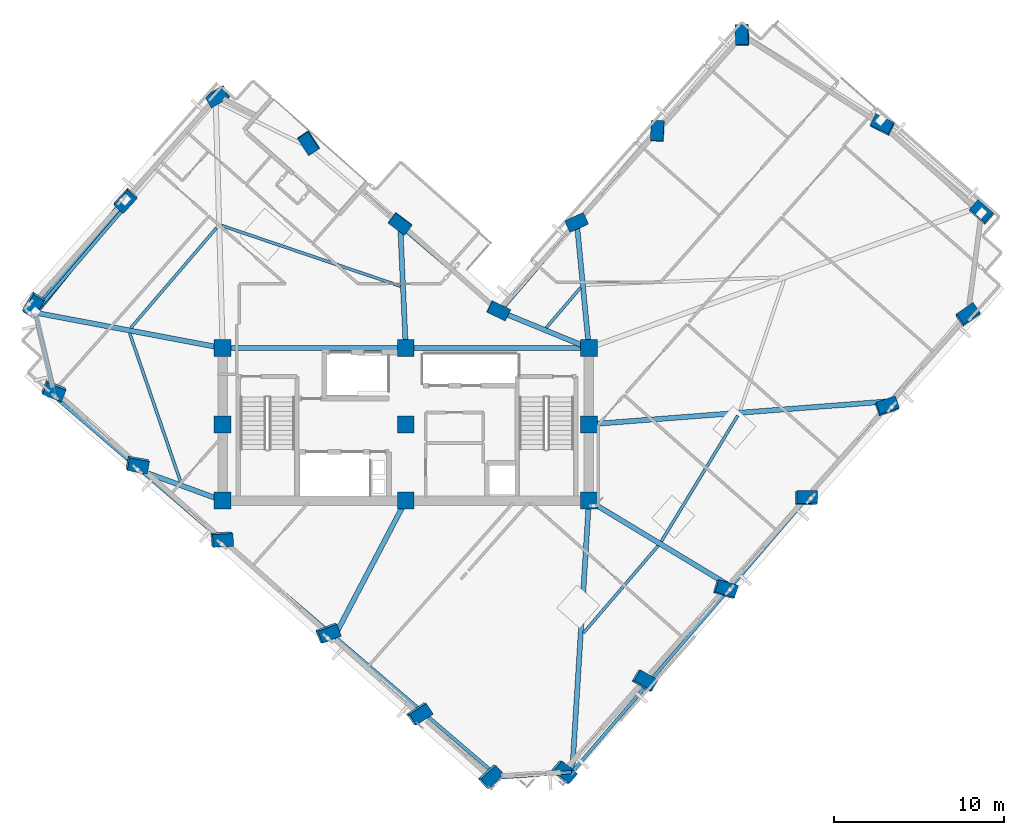
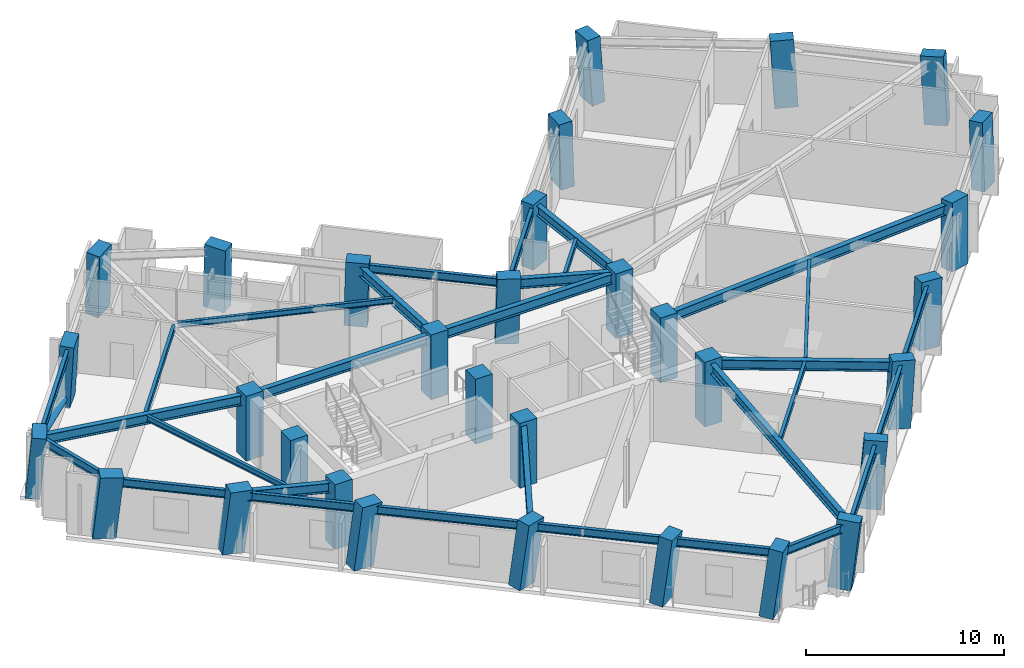
# One storey, part 1 of 13: 32 columns, 30 beams, 1 member.
"""IFC4 building model written with IfcOpenShell, lengths in metres."""

from ifc_helpers import new_model, si_unit, direction, frame, origin, origin_2d, place, context, subcontext, project, spatial, rectangle, hollow_circle, i_section, extrude, material, material_profile, profile_set, type_object, element, save


model = new_model("IFC4")

# Units and contexts
model_context = context("Model", 3, precision=1e-05, world=origin(), true_north=direction((0.0, 1.0)))
body_context = subcontext(model_context, "Body", "Model", "MODEL_VIEW")
ifc_project = project(units=[si_unit("LENGTHUNIT", "METRE"), si_unit("AREAUNIT", "SQUARE_METRE"), si_unit("VOLUMEUNIT", "CUBIC_METRE"), si_unit("PLANEANGLEUNIT", "RADIAN"), si_unit("MASSUNIT", "GRAM", prefix="KILO")], contexts=[model_context])

# Site, building, storey
site_placement = place(None, origin())
site = spatial("IfcSite", under=ifc_project, at=site_placement, CompositionType="ELEMENT")
building_placement = place(site_placement, origin())
building = spatial("IfcBuilding", under=site, at=building_placement, Name="Gaonmaruhae Medical Tower", CompositionType="ELEMENT")
storey_placement = place(building_placement, frame((0.0, 0.0, 231.199951171875)))
storey = spatial("IfcBuildingStorey", under=building, at=storey_placement, Name="L55", CompositionType="ELEMENT", Elevation=231.199951171875)

# Columns
ifc_material_1 = material(Name="Concrete C50/60", Category="concrete")
ifc_material_profile_1 = material_profile(ifc_material_1, rectangle(XDim=1.0, YDim=1.0, at=origin_2d()), Name="RC-1000x1000")
ifc_profile_set_1 = profile_set([ifc_material_profile_1], Name="Concrete C50/60")
column_type_1 = type_object("IfcColumnType", Name="CC-05 Zone 4 Core Column (RC-1000x1000)", PredefinedType="COLUMN", material=ifc_profile_set_1)
for number, where, z_axis, x_axis, name in (
    (1, (14.0, 7.800048828125, 0.0), (0.0, 0.0, 1.0), (1.0, 0.0, 0.0), "L55 Plumb Core Column CC11"),
    (2, (14.0, 12.300048828125, 0.0), (0.0, 0.0, 1.0), (1.0, 0.0, 0.0), "L55 Plumb Core Column CC12"),
    (3, (14.0, 16.800048828125, 0.0), (0.0, 0.0, 1.0), (1.0, 0.0, 0.0), "L55 Plumb Core Column CC13"),
    (4, (24.800048828125, 7.800048828125, 0.0), (0.0, 0.0, 1.0), (1.0, 0.0, 0.0), "L55 Plumb Core Column CC21"),
    (5, (24.800048828125, 12.300048828125, 0.0), (0.0, 0.0, 1.0), (1.0, 0.0, 0.0), "L55 Plumb Core Column CC22"),
    (6, (24.800048828125, 16.800048828125, 0.0), (0.0, 0.0, 1.0), (1.0, 0.0, 0.0), "L55 Plumb Core Column CC23"),
    (7, (35.60009765625, 7.800048828125, 0.0), (0.0, 0.0, 1.0), (1.0, 0.0, 0.0), "L55 Plumb Core Column CC31"),
    (8, (35.60009765625, 12.300048828125, 0.0), (0.0, 0.0, 1.0), (1.0, 0.0, 0.0), "L55 Plumb Core Column CC32"),
    (9, (35.60009765625, 16.800048828125, 0.0), (0.0, 0.0, 1.0), (1.0, 0.0, 0.0), "L55 Plumb Core Column CC33"),
):
    element("IfcColumn", number, at=place(storey_placement, frame(where, z_axis=z_axis, x_axis=x_axis)), inside=storey, type_object=column_type_1, Name=name, PredefinedType="COLUMN", context=body_context, shape_type="SweptSolid", body=[
        extrude(rectangle(XDim=1.0, YDim=1.0, at=origin_2d()), origin(), (0.0, 0.0, 1.0), 4.0),
    ])
ifc_material_profile_2 = material_profile(ifc_material_1, rectangle(XDim=1.199951171875, YDim=0.75, at=origin_2d()), Name="RC-1200x750")
ifc_profile_set_2 = profile_set([ifc_material_profile_2], Name="Concrete C50/60")
column_type_2 = type_object("IfcColumnType", Name="TC-03 Upper Raking Tube Pier Column (RC-1200x750)", PredefinedType="COLUMN", material=ifc_profile_set_2)
column_1_placement = place(storey_placement, frame((34.06787109375, -8.21826171875, 0.001953125), z_axis=(0.135579842128, 0.003026335762, 0.990761801696), x_axis=(-0.756080409524, 0.64656180427, 0.101490135446)))
element("IfcColumn", 10, at=column_1_placement, inside=storey, type_object=column_type_2, Name="L55 Perimeter Tube Column S01", PredefinedType="COLUMN", context=body_context, shape_type="SweptSolid", body=[
    extrude(rectangle(XDim=1.199951171875, YDim=0.75, at=origin_2d()), origin(), (0.0, 0.0, 1.0), 4.03369140625),
])
column_2_placement = place(storey_placement, frame((38.84326171875, -2.829833984375, 0.001953125), z_axis=(0.113593114269, 0.022512310574, 0.993272268949), x_axis=(-0.85810285412, 0.506111511804, 0.08666388735)))
element("IfcColumn", 11, at=column_2_placement, inside=storey, type_object=column_type_2, Name="L55 Perimeter Tube Column S02", PredefinedType="COLUMN", context=body_context, shape_type="SweptSolid", body=[
    extrude(rectangle(XDim=1.199951171875, YDim=0.75, at=origin_2d()), origin(), (0.0, 0.0, 1.0), 4.0234375),
])
column_3_placement = place(storey_placement, frame((43.618896484375, 2.558349609375, 0.001953125), z_axis=(0.09135412324, 0.042121362213, 0.994927241065), x_axis=(-0.953889022245, 0.29056490025, 0.075284606547)))
element("IfcColumn", 12, at=column_3_placement, inside=storey, type_object=column_type_2, Name="L55 Perimeter Tube Column S03", PredefinedType="COLUMN", context=body_context, shape_type="SweptSolid", body=[
    extrude(rectangle(XDim=1.199951171875, YDim=0.75, at=origin_2d()), origin(), (0.0, 0.0, 1.0), 4.0166015625),
])
column_4_placement = place(storey_placement, frame((48.394287109375, 7.94677734375, 0.001953125), z_axis=(0.069040851075, 0.061619719946, 0.995708979068), x_axis=(-0.997598109289, -0.001339471192, 0.069254733848)))
element("IfcColumn", 13, at=column_4_placement, inside=storey, type_object=column_type_2, Name="L55 Perimeter Tube Column S04", PredefinedType="COLUMN", context=body_context, shape_type="SweptSolid", body=[
    extrude(rectangle(XDim=1.199951171875, YDim=0.75, at=origin_2d()), origin(), (0.0, 0.0, 1.0), 4.013671875),
])
column_5_placement = place(storey_placement, frame((53.169921875, 13.335205078125, 0.001953125), z_axis=(0.046651186757, 0.081137787658, 0.995610529368), x_axis=(-0.946393946399, -0.315329163817, 0.070042963004)))
element("IfcColumn", 14, at=column_5_placement, inside=storey, type_object=column_type_2, Name="L55 Perimeter Tube Column S05", PredefinedType="COLUMN", context=body_context, shape_type="SweptSolid", body=[
    extrude(rectangle(XDim=1.199951171875, YDim=0.75, at=origin_2d()), origin(), (0.0, 0.0, 1.0), 4.013916015625),
])
column_6_placement = place(storey_placement, frame((57.9453125, 18.7236328125, 0.001953125), z_axis=(0.024244575216, 0.100563338303, 0.994635217334), x_axis=(-0.819257234267, -0.568176392218, 0.077415576125)))
element("IfcColumn", 15, at=column_6_placement, inside=storey, type_object=column_type_2, Name="L55 Perimeter Tube Column S06", PredefinedType="COLUMN", context=body_context, shape_type="SweptSolid", body=[
    extrude(rectangle(XDim=1.199951171875, YDim=0.75, at=origin_2d()), origin(), (0.0, 0.0, 1.0), 4.017822265625),
])
column_7_placement = place(storey_placement, frame((58.75048828125, 24.758056640625, 0.001953125), z_axis=(-0.000729143528, 0.103659904865, 0.994612533841), x_axis=(0.75299889112, -0.654419747478, 0.068756556655)))
element("IfcColumn", 16, at=column_7_placement, inside=storey, type_object=column_type_2, Name="L55 Perimeter Tube Column E01", PredefinedType="COLUMN", context=body_context, shape_type="SweptSolid", body=[
    extrude(rectangle(XDim=1.199951171875, YDim=0.75, at=origin_2d()), origin(), (0.0, 0.0, 1.0), 4.01806640625),
])
column_8_placement = place(storey_placement, frame((52.9130859375, 29.931396484375, 0.001953125), z_axis=(-0.021856792511, 0.079634218953, 0.996584503087), x_axis=(0.896641355802, -0.439356621925, 0.054772601149)))
element("IfcColumn", 17, at=column_8_placement, inside=storey, type_object=column_type_2, Name="L55 Perimeter Tube Column E02", PredefinedType="COLUMN", context=body_context, shape_type="SweptSolid", body=[
    extrude(rectangle(XDim=1.199951171875, YDim=0.75, at=origin_2d()), origin(), (0.0, 0.0, 1.0), 4.010009765625),
])
column_9_placement = place(storey_placement, frame((44.658935546875, 35.24267578125, 0.001953125), z_axis=(-0.043593596466, 0.045361728351, 0.998018993781), x_axis=(0.039301634257, -0.998117518845, 0.047082906868)))
element("IfcColumn", 18, at=column_9_placement, inside=storey, type_object=column_type_2, Name="L55 Perimeter Tube Column E03", PredefinedType="COLUMN", context=body_context, shape_type="SweptSolid", body=[
    extrude(rectangle(XDim=1.199951171875, YDim=0.75, at=origin_2d()), origin(), (0.0, 0.0, 1.0), 4.004150390625),
])
column_10_placement = place(storey_placement, frame((39.651123046875, 29.59228515625, 0.001953125), z_axis=(-0.020027637155, 0.024912426705, 0.999489001813), x_axis=(-0.048277843881, -0.998547449119, 0.023921572878)))
element("IfcColumn", 19, at=column_10_placement, inside=storey, type_object=column_type_2, Name="L55 Perimeter Tube Column EN01", PredefinedType="COLUMN", context=body_context, shape_type="SweptSolid", body=[
    extrude(rectangle(XDim=1.199951171875, YDim=0.75, at=origin_2d()), origin(), (0.0, 0.0, 1.0), 3.998291015625),
])
column_11_placement = place(storey_placement, frame((34.875732421875, 24.203857421875, 0.001953125), z_axis=(0.002382511973, 0.0053148344, 0.999983037942), x_axis=(-0.911366062423, -0.411573687932, 0.004358860485)))
element("IfcColumn", 20, at=column_11_placement, inside=storey, type_object=column_type_2, Name="L55 Perimeter Tube Column EN02", PredefinedType="COLUMN", context=body_context, shape_type="SweptSolid", body=[
    extrude(rectangle(XDim=1.199951171875, YDim=0.75, at=origin_2d()), origin(), (0.0, 0.0, 1.0), 3.996337890625),
])
column_12_placement = place(storey_placement, frame((30.265869140625, 19.002685546875, 0.001953125), z_axis=(0.024121719548, -0.013618084707, 0.999616271584), x_axis=(-0.898481897541, 0.438138960704, 0.02765015198)))
element("IfcColumn", 21, at=column_12_placement, inside=storey, type_object=column_type_2, Name="L55 Perimeter Tube Column KN01", PredefinedType="COLUMN", context=body_context, shape_type="SweptSolid", body=[
    extrude(rectangle(XDim=1.199951171875, YDim=0.75, at=origin_2d()), origin(), (0.0, 0.0, 1.0), 3.997802734375),
])
column_13_placement = place(storey_placement, frame((24.466064453125, 24.14306640625, 0.001953125), z_axis=(0.002991304926, -0.037849164373, 0.999278986495), x_axis=(-0.798270232105, 0.601772774406, 0.025182623343)))
element("IfcColumn", 22, at=column_13_placement, inside=storey, type_object=column_type_2, Name="L55 Perimeter Tube Column NE01", PredefinedType="COLUMN", context=body_context, shape_type="SweptSolid", body=[
    extrude(rectangle(XDim=1.199951171875, YDim=0.75, at=origin_2d()), origin(), (0.0, 0.0, 1.0), 3.999267578125),
])
column_14_placement = place(storey_placement, frame((19.07763671875, 28.91845703125, 0.001953125), z_axis=(-0.016523414355, -0.060179372579, 0.998050810277), x_axis=(-0.54639584445, 0.836503575836, 0.041392617478)))
element("IfcColumn", 23, at=column_14_placement, inside=storey, type_object=column_type_2, Name="L55 Perimeter Tube Column NE02", PredefinedType="COLUMN", context=body_context, shape_type="SweptSolid", body=[
    extrude(rectangle(XDim=1.199951171875, YDim=0.75, at=origin_2d()), origin(), (0.0, 0.0, 1.0), 4.004150390625),
])
column_15_placement = place(storey_placement, frame((13.70458984375, 31.676025390625, 0.001953125), z_axis=(-0.027691212934, -0.082404180907, 0.996214207736), x_axis=(0.866207153249, 0.495431720125, 0.065058268909)))
element("IfcColumn", 24, at=column_15_placement, inside=storey, type_object=column_type_2, Name="L55 Perimeter Tube Column N01", PredefinedType="COLUMN", context=body_context, shape_type="SweptSolid", body=[
    extrude(rectangle(XDim=1.199951171875, YDim=0.75, at=origin_2d()), origin(), (0.0, 0.0, 1.0), 4.011474609375),
])
column_16_placement = place(storey_placement, frame((8.265869140625, 25.539306640625, 0.001953125), z_axis=(-0.002187246162, -0.104441004248, 0.994528678614), x_axis=(0.678711632821, 0.73023191979, 0.078178403623)))
element("IfcColumn", 25, at=column_16_placement, inside=storey, type_object=column_type_2, Name="L55 Perimeter Tube Column N02", PredefinedType="COLUMN", context=body_context, shape_type="SweptSolid", body=[
    extrude(rectangle(XDim=1.199951171875, YDim=0.75, at=origin_2d()), origin(), (0.0, 0.0, 1.0), 4.018310546875),
])
column_17_placement = place(storey_placement, frame((2.8271484375, 19.402587890625, 0.001953125), z_axis=(0.023204107697, -0.126320011874, 0.991718117202), x_axis=(0.518268759348, 0.84979942688, 0.096116737138)))
element("IfcColumn", 26, at=column_17_placement, inside=storey, type_object=column_type_2, Name="L55 Perimeter Tube Column N03", PredefinedType="COLUMN", context=body_context, shape_type="SweptSolid", body=[
    extrude(rectangle(XDim=1.199951171875, YDim=0.75, at=origin_2d()), origin(), (0.0, 0.0, 1.0), 4.02978515625),
])
column_18_placement = place(storey_placement, frame((4.017822265625, 14.338623046875, 0.001953125), z_axis=(0.044042273811, -0.121222269459, 0.991647840468), x_axis=(-0.92799403017, 0.36264171227, 0.085545709951)))
element("IfcColumn", 27, at=column_18_placement, inside=storey, type_object=column_type_2, Name="L55 Perimeter Tube Column W01", PredefinedType="COLUMN", context=body_context, shape_type="SweptSolid", body=[
    extrude(rectangle(XDim=1.199951171875, YDim=0.75, at=origin_2d()), origin(), (0.0, 0.0, 1.0), 4.030029296875),
])
column_19_placement = place(storey_placement, frame((8.957275390625, 9.9609375, 0.001953125), z_axis=(0.061875011335, -0.100880533187, 0.992972608382), x_axis=(-0.982288349471, 0.170141650321, 0.078494696129)))
element("IfcColumn", 28, at=column_19_placement, inside=storey, type_object=column_type_2, Name="L55 Perimeter Tube Column W02", PredefinedType="COLUMN", context=body_context, shape_type="SweptSolid", body=[
    extrude(rectangle(XDim=1.199951171875, YDim=0.75, at=origin_2d()), origin(), (0.0, 0.0, 1.0), 4.024658203125),
])
column_20_placement = place(storey_placement, frame((13.933837890625, 5.55029296875, 0.001953125), z_axis=(0.079998727343, -0.080362909713, 0.993550203244), x_axis=(-0.995303672249, -0.060942288648, 0.075210620677)))
element("IfcColumn", 29, at=column_20_placement, inside=storey, type_object=column_type_2, Name="L55 Perimeter Tube Column W03", PredefinedType="COLUMN", context=body_context, shape_type="SweptSolid", body=[
    extrude(rectangle(XDim=1.199951171875, YDim=0.75, at=origin_2d()), origin(), (0.0, 0.0, 1.0), 4.022216796875),
])
column_21_placement = place(storey_placement, frame((20.182861328125, 0.011962890625, 0.001953125), z_axis=(0.102546150449, -0.054367663196, 0.993241382659), x_axis=(-0.932598644651, -0.352609139374, 0.076984172557)))
element("IfcColumn", 30, at=column_21_placement, inside=storey, type_object=column_type_2, Name="L55 Perimeter Tube Column W04", PredefinedType="COLUMN", context=body_context, shape_type="SweptSolid", body=[
    extrude(rectangle(XDim=1.199951171875, YDim=0.75, at=origin_2d()), origin(), (0.0, 0.0, 1.0), 4.0234375),
])
column_22_placement = place(storey_placement, frame((25.5712890625, -4.763427734375, 0.001953125), z_axis=(0.121815026973, -0.032059775756, 0.992034913691), x_axis=(-0.826796319171, -0.55626214233, 0.083548043756)))
element("IfcColumn", 31, at=column_22_placement, inside=storey, type_object=column_type_2, Name="L55 Perimeter Tube Column W05", PredefinedType="COLUMN", context=body_context, shape_type="SweptSolid", body=[
    extrude(rectangle(XDim=1.199951171875, YDim=0.75, at=origin_2d()), origin(), (0.0, 0.0, 1.0), 4.0283203125),
])
column_23_placement = place(storey_placement, frame((29.76220703125, -8.477783203125, 0.001953125), z_axis=(0.136753792643, -0.014643547708, 0.990496828217), x_axis=(-0.732916295121, -0.674175009861, 0.091223683462)))
element("IfcColumn", 32, at=column_23_placement, inside=storey, type_object=column_type_2, Name="L55 Perimeter Tube Column W06", PredefinedType="COLUMN", context=body_context, shape_type="SweptSolid", body=[
    extrude(rectangle(XDim=1.199951171875, YDim=0.75, at=origin_2d()), origin(), (0.0, 0.0, 1.0), 4.03466796875),
])

# Beams
ifc_material_2 = material(Name="Steel SM355", Category="steel")
ifc_material_profile_3 = material_profile(ifc_material_2, i_section(OverallWidth=0.175048828125, OverallDepth=0.35009765625, WebThickness=0.007080078125, FlangeThickness=0.010986328125, FilletRadius=0.012939453125, at=origin_2d()), Name="H-350x175x7x11")
ifc_profile_set_3 = profile_set([ifc_material_profile_3], Name="Steel SM355")
beam_type_1 = type_object("IfcBeamType", Name="FJ-02 Upper Zone Ward Floor Joist (H-350x175x7x11)", PredefinedType="JOIST", material=ifc_profile_set_3)
beam_1_placement = place(storey_placement, frame((35.273193359375, -0.009521484375, 3.60498046875), z_axis=(0.650779524248, 0.759266758669, 0.0), x_axis=(-0.759266758669, 0.650779524248, 0.0)))
element("IfcBeam", 33, at=beam_1_placement, inside=storey, type_object=beam_type_1, Name="L55 Secondary Floor Joist FJ01", PredefinedType="JOIST", context=body_context, shape_type="SweptSolid", body=[
    extrude(i_section(OverallWidth=0.175048828125, OverallDepth=0.35009765625, WebThickness=0.007080078125, FlangeThickness=0.010986328125, FilletRadius=0.012939453125, at=origin_2d()), origin(), (0.0, 0.0, 1.0), 6.787353515625),
])
beam_2_placement = place(storey_placement, frame((39.8740234375, 5.397216796875, 3.60498046875), z_axis=(0.519008956443, 0.854768800982, 0.0), x_axis=(-0.854768800982, 0.519008956443, 0.0)))
element("IfcBeam", 34, at=beam_2_placement, inside=storey, type_object=beam_type_1, Name="L55 Secondary Floor Joist FJ02", PredefinedType="JOIST", context=body_context, shape_type="SweptSolid", body=[
    extrude(i_section(OverallWidth=0.175048828125, OverallDepth=0.35009765625, WebThickness=0.007080078125, FlangeThickness=0.010986328125, FilletRadius=0.012939453125, at=origin_2d()), origin(), (0.0, 0.0, 1.0), 8.68115234375),
])
beam_3_placement = place(storey_placement, frame((35.103271484375, 20.349853515625, 3.60498046875), z_axis=(-0.650784881119, -0.759262167178, 0.0), x_axis=(0.759262167178, -0.650784881119, 0.0)))
element("IfcBeam", 35, at=beam_3_placement, inside=storey, type_object=beam_type_1, Name="L55 Secondary Floor Joist FJ05", PredefinedType="JOIST", context=body_context, shape_type="SweptSolid", body=[
    extrude(i_section(OverallWidth=0.175048828125, OverallDepth=0.35009765625, WebThickness=0.007080078125, FlangeThickness=0.010986328125, FilletRadius=0.012939453125, at=origin_2d()), origin(), (0.0, 0.0, 1.0), 3.096923828125),
])
beam_4_placement = place(storey_placement, frame((24.48095703125, 20.449462890625, 3.60498046875), z_axis=(-0.947029881257, 0.32114545615, 0.0), x_axis=(-0.32114545615, -0.947029881257, 0.0)))
element("IfcBeam", 36, at=beam_4_placement, inside=storey, type_object=beam_type_1, Name="L55 Secondary Floor Joist FJ07", PredefinedType="JOIST", context=body_context, shape_type="SweptSolid", body=[
    extrude(i_section(OverallWidth=0.175048828125, OverallDepth=0.35009765625, WebThickness=0.007080078125, FlangeThickness=0.010986328125, FilletRadius=0.012939453125, at=origin_2d()), origin(), (0.0, 0.0, 1.0), 11.115966796875),
])
beam_5_placement = place(storey_placement, frame((13.6474609375, 23.898681640625, 3.60498046875), z_axis=(-0.650768149403, -0.759276508081, 0.0), x_axis=(0.759276508081, -0.650768149403, 0.0)))
element("IfcBeam", 37, at=beam_5_placement, inside=storey, type_object=beam_type_1, Name="L55 Secondary Floor Joist FJ08", PredefinedType="JOIST", context=body_context, shape_type="SweptSolid", body=[
    extrude(i_section(OverallWidth=0.175048828125, OverallDepth=0.35009765625, WebThickness=0.007080078125, FlangeThickness=0.010986328125, FilletRadius=0.012939453125, at=origin_2d()), origin(), (0.0, 0.0, 1.0), 7.791748046875),
])
beam_6_placement = place(storey_placement, frame((8.518310546875, 17.677734375, 3.60498046875), z_axis=(0.324251957962, -0.945970754177, 0.0), x_axis=(0.945970754177, 0.324251957962, 0.0)))
element("IfcBeam", 38, at=beam_6_placement, inside=storey, type_object=beam_type_1, Name="L55 Secondary Floor Joist FJ09", PredefinedType="JOIST", context=body_context, shape_type="SweptSolid", body=[
    extrude(i_section(OverallWidth=0.175048828125, OverallDepth=0.35009765625, WebThickness=0.007080078125, FlangeThickness=0.010986328125, FilletRadius=0.012939453125, at=origin_2d()), origin(), (0.0, 0.0, 1.0), 9.3154296875),
])

# Member
ifc_material_3 = material(Name="Steel SM420", Category="steel")
ifc_material_profile_4 = material_profile(ifc_material_3, hollow_circle(Radius=0.203125, WallThickness=0.0126953125, at=origin_2d()), Name="CHS-406.4x12.7")
ifc_profile_set_4 = profile_set([ifc_material_profile_4], Name="Steel SM420")
member_type = type_object("IfcMemberType", Name="PB-02 Perimeter Solid-Bay Tube Brace Mid (CHS-406.4x12.7)", PredefinedType="BRACE", material=ifc_profile_set_4)
member_placement = place(storey_placement, frame((8.265869140625, 25.53955078125, 0.25), z_axis=(-0.584945799333, -0.727321617577, 0.358945227644), x_axis=(0.779252045042, -0.626710659154, 0.0)))
element("IfcMember", 39, at=member_placement, inside=storey, type_object=member_type, Name="L55 Perimeter Tube Solid-Bay Brace N02-N03", PredefinedType="BRACE", context=body_context, shape_type="SweptSolid", body=[
    extrude(hollow_circle(Radius=0.203125, WallThickness=0.0126953125, at=origin_2d()), origin(), (0.0, 0.0, 1.0), 9.137939453125),
])

# Beams
ifc_material_profile_5 = material_profile(ifc_material_3, i_section(OverallWidth=0.300048828125, OverallDepth=0.60009765625, WebThickness=0.011962890625, FlangeThickness=0.02001953125, FilletRadius=0.012939453125, at=origin_2d()), Name="H-600x300x12x20")
ifc_profile_set_5 = profile_set([ifc_material_profile_5], Name="Steel SM420")
beam_type_2 = type_object("IfcBeamType", Name="PG-04 Zone 4 Radial Floor Girder (H-600x300x12x20)", PredefinedType="BEAM", material=ifc_profile_set_5)
for number, where, z_axis, x_axis, name in (
    (40, (14.050048828125, 16.800048828125, 3.47998046875), (1.0, 0.0, 0.0), (0.0, 1.0, 0.0), "L55 Beam BM-L55-CG-N1"),
    (41, (24.85009765625, 16.800048828125, 3.47998046875), (1.0, 0.0, 0.0), (0.0, 1.0, 0.0), "L55 Beam BM-L55-CG-N2"),
):
    element("IfcBeam", number, at=place(storey_placement, frame(where, z_axis=z_axis, x_axis=x_axis)), inside=storey, type_object=beam_type_2, Name=name, PredefinedType="BEAM", context=body_context, shape_type="SweptSolid", body=[
        extrude(i_section(OverallWidth=0.300048828125, OverallDepth=0.60009765625, WebThickness=0.011962890625, FlangeThickness=0.02001953125, FilletRadius=0.012939453125, at=origin_2d()), origin(), (0.0, 0.0, 1.0), 10.699951171875),
    ])
beam_7_placement = place(storey_placement, frame((35.596923828125, 7.75, 3.47998046875), z_axis=(-0.061433069835, -0.998111205192, 0.0), x_axis=(0.998111205192, -0.061433069835, 0.0)))
element("IfcBeam", 42, at=beam_7_placement, inside=storey, type_object=beam_type_2, Name="L55 Radial Primary Girder S01", PredefinedType="BEAM", context=body_context, shape_type="SweptSolid", body=[
    extrude(i_section(OverallWidth=0.300048828125, OverallDepth=0.60009765625, WebThickness=0.011962890625, FlangeThickness=0.02001953125, FilletRadius=0.012939453125, at=origin_2d()), origin(), (0.0, 0.0, 1.0), 15.93603515625),
])
beam_8_placement = place(storey_placement, frame((35.642822265625, 7.774169921875, 3.47998046875), z_axis=(0.855648787259, -0.517556907849, 0.0), x_axis=(0.517556907849, 0.855648787259, 0.0)))
element("IfcBeam", 43, at=beam_8_placement, inside=storey, type_object=beam_type_2, Name="L55 Radial Primary Girder S03", PredefinedType="BEAM", context=body_context, shape_type="SweptSolid", body=[
    extrude(i_section(OverallWidth=0.300048828125, OverallDepth=0.60009765625, WebThickness=0.011962890625, FlangeThickness=0.02001953125, FilletRadius=0.012939453125, at=origin_2d()), origin(), (0.0, 0.0, 1.0), 9.700927734375),
])
beam_9_placement = place(storey_placement, frame((35.64990234375, 12.3037109375, 3.47998046875), z_axis=(0.99707496669, 0.076429776914, 0.0), x_axis=(-0.076429776914, 0.99707496669, 0.0)))
element("IfcBeam", 44, at=beam_9_placement, inside=storey, type_object=beam_type_2, Name="L55 Radial Primary Girder S05", PredefinedType="BEAM", context=body_context, shape_type="SweptSolid", body=[
    extrude(i_section(OverallWidth=0.300048828125, OverallDepth=0.60009765625, WebThickness=0.011962890625, FlangeThickness=0.02001953125, FilletRadius=0.012939453125, at=origin_2d()), origin(), (0.0, 0.0, 1.0), 17.709228515625),
])
beam_10_placement = place(storey_placement, frame((35.59521484375, 16.849853515625, 3.47998046875), z_axis=(-0.095807857251, 0.995399846539, 0.0), x_axis=(-0.995399846539, -0.095807857251, 0.0)))
element("IfcBeam", 45, at=beam_10_placement, inside=storey, type_object=beam_type_2, Name="L55 Radial Primary Girder EN02", PredefinedType="BEAM", context=body_context, shape_type="SweptSolid", body=[
    extrude(i_section(OverallWidth=0.300048828125, OverallDepth=0.60009765625, WebThickness=0.011962890625, FlangeThickness=0.02001953125, FilletRadius=0.012939453125, at=origin_2d()), origin(), (0.0, 0.0, 1.0), 7.359375),
])
beam_11_placement = place(storey_placement, frame((35.5537109375, 16.819091796875, 3.47998046875), z_axis=(-0.925210909682, 0.379453254835, 0.0), x_axis=(-0.379453254835, -0.925210909682, 0.0)))
element("IfcBeam", 46, at=beam_11_placement, inside=storey, type_object=beam_type_2, Name="L55 Radial Primary Girder KN01", PredefinedType="BEAM", context=body_context, shape_type="SweptSolid", body=[
    extrude(i_section(OverallWidth=0.300048828125, OverallDepth=0.60009765625, WebThickness=0.011962890625, FlangeThickness=0.02001953125, FilletRadius=0.012939453125, at=origin_2d()), origin(), (0.0, 0.0, 1.0), 5.56103515625),
])
beam_12_placement = place(storey_placement, frame((24.7978515625, 16.849853515625, 3.4599609375), z_axis=(-0.044741546108, 0.998998595621, 0.0), x_axis=(-0.998998595621, -0.044741546108, 0.0)))
element("IfcBeam", 47, at=beam_12_placement, inside=storey, type_object=beam_type_2, Name="L55 Radial Primary Girder NE01", PredefinedType="BEAM", context=body_context, shape_type="SweptSolid", body=[
    extrude(i_section(OverallWidth=0.300048828125, OverallDepth=0.60009765625, WebThickness=0.011962890625, FlangeThickness=0.02001953125, FilletRadius=0.012939453125, at=origin_2d()), origin(), (0.0, 0.0, 1.0), 7.09912109375),
])
beam_13_placement = place(storey_placement, frame((13.950927734375, 16.809326171875, 3.47998046875), z_axis=(-0.982615511978, 0.185652243781, 0.0), x_axis=(-0.185652243781, -0.982615511978, 0.0)))
element("IfcBeam", 48, at=beam_13_placement, inside=storey, type_object=beam_type_2, Name="L55 Radial Primary Girder N03", PredefinedType="BEAM", context=body_context, shape_type="SweptSolid", body=[
    extrude(i_section(OverallWidth=0.300048828125, OverallDepth=0.60009765625, WebThickness=0.011962890625, FlangeThickness=0.02001953125, FilletRadius=0.012939453125, at=origin_2d()), origin(), (0.0, 0.0, 1.0), 11.17529296875),
])
beam_14_placement = place(storey_placement, frame((13.953125, 7.817138671875, 3.47998046875), z_axis=(-0.93907062874, 0.343724241564, 0.0), x_axis=(-0.343724241564, -0.93907062874, 0.0)))
element("IfcBeam", 49, at=beam_14_placement, inside=storey, type_object=beam_type_2, Name="L55 Radial Primary Girder W02", PredefinedType="BEAM", context=body_context, shape_type="SweptSolid", body=[
    extrude(i_section(OverallWidth=0.300048828125, OverallDepth=0.60009765625, WebThickness=0.011962890625, FlangeThickness=0.02001953125, FilletRadius=0.012939453125, at=origin_2d()), origin(), (0.0, 0.0, 1.0), 5.004638671875),
])
beam_15_placement = place(storey_placement, frame((24.77685546875, 7.755615234375, 3.47998046875), z_axis=(-0.464912541127, -0.88535661126, 0.0), x_axis=(0.88535661126, -0.464912541127, 0.0)))
element("IfcBeam", 50, at=beam_15_placement, inside=storey, type_object=beam_type_2, Name="L55 Radial Primary Girder W04", PredefinedType="BEAM", context=body_context, shape_type="SweptSolid", body=[
    extrude(i_section(OverallWidth=0.300048828125, OverallDepth=0.60009765625, WebThickness=0.011962890625, FlangeThickness=0.02001953125, FilletRadius=0.012939453125, at=origin_2d()), origin(), (0.0, 0.0, 1.0), 8.943603515625),
])
ifc_material_profile_6 = material_profile(ifc_material_2, i_section(OverallWidth=0.199951171875, OverallDepth=0.5, WebThickness=0.010009765625, FlangeThickness=0.01611328125, FilletRadius=0.012939453125, at=origin_2d()), Name="H-500x200x10x16")
ifc_profile_set_6 = profile_set([ifc_material_profile_6], Name="Steel SM355")
beam_type_3 = type_object("IfcBeamType", Name="SP-02 Upper Perimeter Spandrel Beam (H-500x200x10x16)", PredefinedType="SPANDREL", material=ifc_profile_set_6)
for number, where, z_axis, x_axis, name in (
    (51, (34.640869140625, -8.175537109375, 3.530029296875), (0.650777254206, 0.759268704352, 0.0), (-0.759268704352, 0.650777254206, 0.0), "L55 Perimeter Spandrel Beam S01-S02"),
    (52, (39.326416015625, -2.708740234375, 3.530029296875), (0.650777254206, 0.759268704352, 0.0), (-0.759268704352, 0.650777254206, 0.0), "L55 Perimeter Spandrel Beam S02-S03"),
    (53, (44.011962890625, 2.7578125, 3.530029296875), (0.650760311618, 0.759283225695, 0.0), (-0.759283225695, 0.650760311618, 0.0), "L55 Perimeter Spandrel Beam S03-S04"),
):
    element("IfcBeam", number, at=place(storey_placement, frame(where, z_axis=z_axis, x_axis=x_axis)), inside=storey, type_object=beam_type_3, Name=name, PredefinedType="SPANDREL", context=body_context, shape_type="SweptSolid", body=[
        extrude(i_section(OverallWidth=0.199951171875, OverallDepth=0.5, WebThickness=0.010009765625, FlangeThickness=0.01611328125, FilletRadius=0.012939453125, at=origin_2d()), origin(), (0.0, 0.0, 1.0), 7.1201171875),
    ])
beam_16_placement = place(storey_placement, frame((34.859375, 24.19482421875, 3.530029296875), z_axis=(-0.65077674073, -0.759269144457, 0.0), x_axis=(0.759269144457, -0.65077674073, 0.0)))
element("IfcBeam", 54, at=beam_16_placement, inside=storey, type_object=beam_type_3, Name="L55 Perimeter Spandrel Beam EN02-KN01", PredefinedType="SPANDREL", context=body_context, shape_type="SweptSolid", body=[
    extrude(i_section(OverallWidth=0.199951171875, OverallDepth=0.5, WebThickness=0.010009765625, FlangeThickness=0.01611328125, FilletRadius=0.012939453125, at=origin_2d()), origin(), (0.0, 0.0, 1.0), 6.8701171875),
])
beam_17_placement = place(storey_placement, frame((30.33203125, 18.974365234375, 3.510009765625), z_axis=(-0.759279071275, 0.650765158812, 0.0), x_axis=(-0.650765158812, -0.759279071275, 0.0)))
element("IfcBeam", 55, at=beam_17_placement, inside=storey, type_object=beam_type_3, Name="L55 Perimeter Spandrel Beam KN01-NE01", PredefinedType="SPANDREL", context=body_context, shape_type="SweptSolid", body=[
    extrude(i_section(OverallWidth=0.199951171875, OverallDepth=0.5, WebThickness=0.010009765625, FlangeThickness=0.01611328125, FilletRadius=0.012939453125, at=origin_2d()), origin(), (0.0, 0.0, 1.0), 7.669677734375),
])
beam_18_placement = place(storey_placement, frame((8.23095703125, 25.089111328125, 3.530029296875), z_axis=(-0.650766612186, -0.759277825611, 0.0), x_axis=(0.759277825611, -0.650766612186, 0.0)))
element("IfcBeam", 56, at=beam_18_placement, inside=storey, type_object=beam_type_3, Name="L55 Perimeter Spandrel Beam N02-N03", PredefinedType="SPANDREL", context=body_context, shape_type="SweptSolid", body=[
    extrude(i_section(OverallWidth=0.199951171875, OverallDepth=0.5, WebThickness=0.010009765625, FlangeThickness=0.01611328125, FilletRadius=0.012939453125, at=origin_2d()), origin(), (0.0, 0.0, 1.0), 8.119873046875),
])
beam_19_placement = place(storey_placement, frame((2.9306640625, 18.8544921875, 3.530029296875), z_axis=(0.245002247073, -0.96952251079, 0.0), x_axis=(0.96952251079, 0.245002247073, 0.0)))
element("IfcBeam", 57, at=beam_19_placement, inside=storey, type_object=beam_type_3, Name="L55 Perimeter Spandrel Beam N03-W01", PredefinedType="SPANDREL", context=body_context, shape_type="SweptSolid", body=[
    extrude(i_section(OverallWidth=0.199951171875, OverallDepth=0.5, WebThickness=0.010009765625, FlangeThickness=0.01611328125, FilletRadius=0.012939453125, at=origin_2d()), origin(), (0.0, 0.0, 1.0), 5.121826171875),
])
beam_20_placement = place(storey_placement, frame((4.2255859375, 13.82373046875, 3.530029296875), z_axis=(0.759280390701, -0.650763619371, 0.0), x_axis=(0.650763619371, 0.759280390701, 0.0)))
element("IfcBeam", 58, at=beam_20_placement, inside=storey, type_object=beam_type_3, Name="L55 Perimeter Spandrel Beam W01-W02", PredefinedType="SPANDREL", context=body_context, shape_type="SweptSolid", body=[
    extrude(i_section(OverallWidth=0.199951171875, OverallDepth=0.5, WebThickness=0.010009765625, FlangeThickness=0.01611328125, FilletRadius=0.012939453125, at=origin_2d()), origin(), (0.0, 0.0, 1.0), 6.52001953125),
])
beam_21_placement = place(storey_placement, frame((9.23681640625, 9.528564453125, 3.530029296875), z_axis=(0.759274963104, -0.650769951982, 0.0), x_axis=(0.650769951982, 0.759274963104, 0.0)))
element("IfcBeam", 59, at=beam_21_placement, inside=storey, type_object=beam_type_3, Name="L55 Perimeter Spandrel Beam W02-W03", PredefinedType="SPANDREL", context=body_context, shape_type="SweptSolid", body=[
    extrude(i_section(OverallWidth=0.199951171875, OverallDepth=0.5, WebThickness=0.010009765625, FlangeThickness=0.01611328125, FilletRadius=0.012939453125, at=origin_2d()), origin(), (0.0, 0.0, 1.0), 6.570068359375),
])
beam_22_placement = place(storey_placement, frame((14.2861328125, 5.200927734375, 3.530029296875), z_axis=(0.759269105542, -0.650776786133, 0.0), x_axis=(0.650776786133, 0.759269105542, 0.0)))
element("IfcBeam", 60, at=beam_22_placement, inside=storey, type_object=beam_type_3, Name="L55 Perimeter Spandrel Beam W03-W04", PredefinedType="SPANDREL", context=body_context, shape_type="SweptSolid", body=[
    extrude(i_section(OverallWidth=0.199951171875, OverallDepth=0.5, WebThickness=0.010009765625, FlangeThickness=0.01611328125, FilletRadius=0.012939453125, at=origin_2d()), origin(), (0.0, 0.0, 1.0), 8.269775390625),
])
beam_23_placement = place(storey_placement, frame((20.6259765625, -0.23291015625, 3.530029296875), z_axis=(0.759268704352, -0.650777254206, 0.0), x_axis=(0.650777254206, 0.759268704352, 0.0)))
element("IfcBeam", 61, at=beam_23_placement, inside=storey, type_object=beam_type_3, Name="L55 Perimeter Spandrel Beam W04-W05", PredefinedType="SPANDREL", context=body_context, shape_type="SweptSolid", body=[
    extrude(i_section(OverallWidth=0.199951171875, OverallDepth=0.5, WebThickness=0.010009765625, FlangeThickness=0.01611328125, FilletRadius=0.012939453125, at=origin_2d()), origin(), (0.0, 0.0, 1.0), 7.1201171875),
])
beam_24_placement = place(storey_placement, frame((26.0927734375, -4.91845703125, 3.530029296875), z_axis=(0.759269090247, -0.650776803978, 0.0), x_axis=(0.650776803978, 0.759269090247, 0.0)))
element("IfcBeam", 62, at=beam_24_placement, inside=storey, type_object=beam_type_3, Name="L55 Perimeter Spandrel Beam W05-W06", PredefinedType="SPANDREL", context=body_context, shape_type="SweptSolid", body=[
    extrude(i_section(OverallWidth=0.199951171875, OverallDepth=0.5, WebThickness=0.010009765625, FlangeThickness=0.01611328125, FilletRadius=0.012939453125, at=origin_2d()), origin(), (0.0, 0.0, 1.0), 5.52001953125),
])
beam_25_placement = place(storey_placement, frame((30.354248046875, -8.53369140625, 3.530029296875), z_axis=(0.997053806955, 0.076705319485, 0.0), x_axis=(-0.076705319485, 0.997053806955, 0.0)))
element("IfcBeam", 63, at=beam_25_placement, inside=storey, type_object=beam_type_3, Name="L55 Perimeter Spandrel Beam W06-S01", PredefinedType="SPANDREL", context=body_context, shape_type="SweptSolid", body=[
    extrude(i_section(OverallWidth=0.199951171875, OverallDepth=0.5, WebThickness=0.010009765625, FlangeThickness=0.01611328125, FilletRadius=0.012939453125, at=origin_2d()), origin(), (0.0, 0.0, 1.0), 4.233154296875),
])

save(model, "model.ifc")
